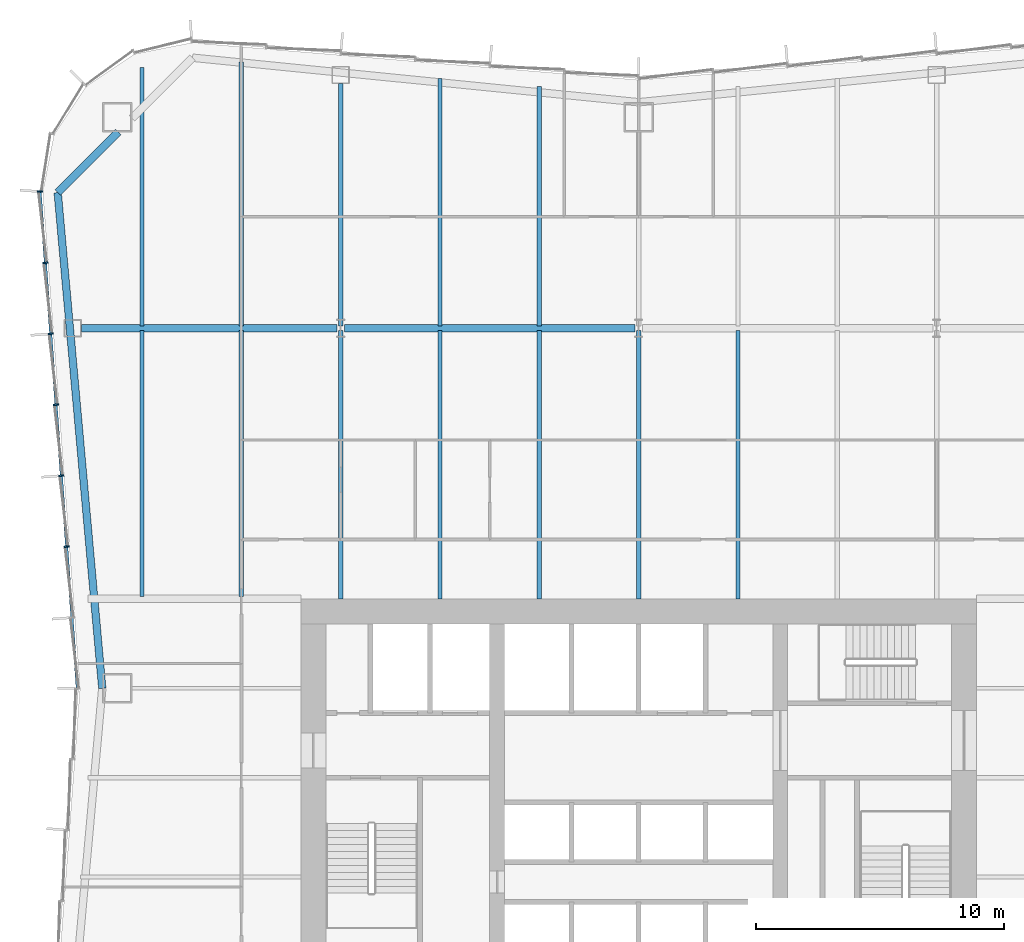
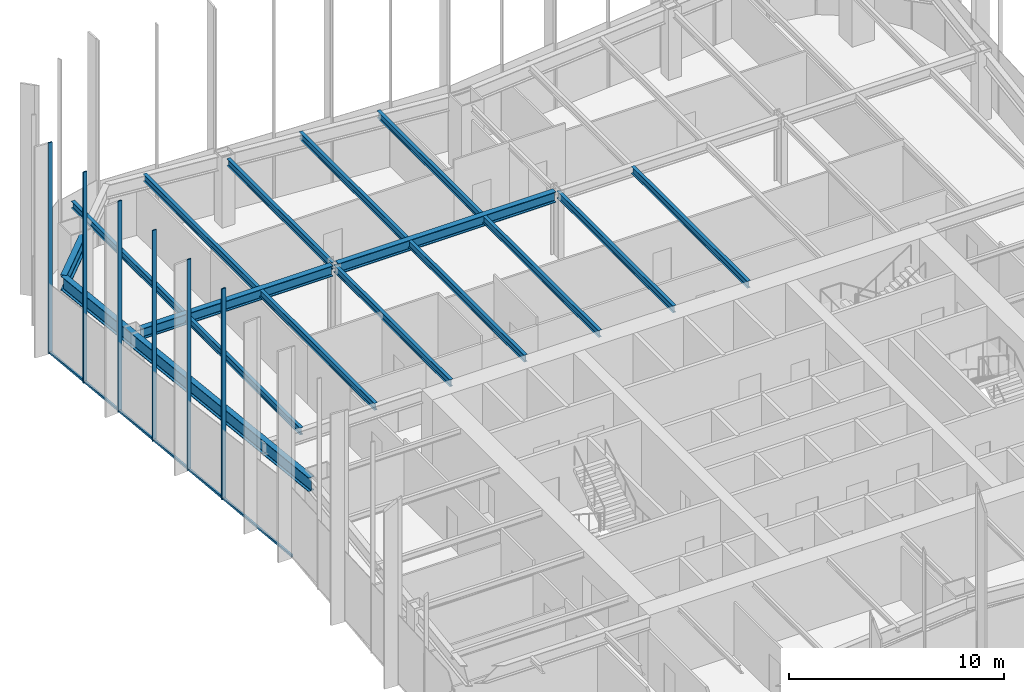
# One storey, part 5 of 13: 16 beams, 7 members, 1 element without a shape of its own.
"""IFC4 building model written with IfcOpenShell, lengths in metres."""

from ifc_helpers import new_model, si_unit, direction, frame, origin, origin_2d, place, context, subcontext, project, spatial, rectangle, i_section, extrude, material, material_profile, profile_set, type_object, element, aggregate, save


model = new_model("IFC4")

# Units and contexts
model_context = context("Model", 3, precision=1e-05, world=origin(), true_north=direction((0.0, 1.0)))
body_context = subcontext(model_context, "Body", "Model", "MODEL_VIEW")
ifc_project = project(units=[si_unit("LENGTHUNIT", "METRE"), si_unit("AREAUNIT", "SQUARE_METRE"), si_unit("VOLUMEUNIT", "CUBIC_METRE"), si_unit("PLANEANGLEUNIT", "RADIAN"), si_unit("MASSUNIT", "GRAM", prefix="KILO")], contexts=[model_context])

# Site, building, storey
site_placement = place(None, origin())
site = spatial("IfcSite", under=ifc_project, at=site_placement, CompositionType="ELEMENT")
building_placement = place(site_placement, origin())
building = spatial("IfcBuilding", under=site, at=building_placement, Name="Verdant Reach Tower", CompositionType="ELEMENT")
storey_placement = place(building_placement, frame((0.0, 0.0, 126.0)))
storey = spatial("IfcBuildingStorey", under=building, at=storey_placement, Name="L28", CompositionType="ELEMENT", Elevation=126.0)

# Curtain wall, members
ifc_material_1 = material(Name="Anodised aluminium", Category="aluminium")
curtain_wall_type = type_object("IfcCurtainWallType", Name="EN-CW SYSTEM Z2", PredefinedType="NOTDEFINED", material=ifc_material_1)
curtain_wall_placement = place(storey_placement, origin())
curtain_wall = element("IfcCurtainWall", 1, at=curtain_wall_placement, inside=storey, type_object=curtain_wall_type, Name="Curtain wall west, L28", PredefinedType="NOTDEFINED")
ifc_material_profile_1 = material_profile(ifc_material_1, rectangle(XDim=0.2119140625, YDim=0.06396484375, at=origin_2d()), Name="Mullion 64x212")
ifc_profile_set_1 = profile_set([ifc_material_profile_1], Name="Anodised aluminium")
member_type_1 = type_object("IfcMemberType", Name="EN-MULLION Z2", PredefinedType="MULLION", material=ifc_profile_set_1)
member_1_placement = place(storey_placement, frame((-24.105712890625, 55.00634765625, -0.35009765625), z_axis=(0.0, 0.0, 1.0), x_axis=(-0.998155887542, 0.060702752526, 0.0)))
member_1 = element("IfcMember", 2, at=member_1_placement, type_object=member_type_1, Name="Mullion west face part 1 1, L28", PredefinedType="MULLION", context=body_context, shape_type="SweptSolid", body=[
    extrude(rectangle(XDim=0.2119140625, YDim=0.06396484375, at=origin_2d()), origin(), (0.0, 0.0, 1.0), 12.0),
])
member_2_placement = place(storey_placement, frame((-23.891357421875, 52.135009765625, -0.35009765625), z_axis=(0.0, 0.0, 1.0), x_axis=(-0.997199309888, -0.074789948245, 0.0)))
member_2 = element("IfcMember", 3, at=member_2_placement, type_object=member_type_1, Name="Mullion west face part 1 2, L28", PredefinedType="MULLION", context=body_context, shape_type="SweptSolid", body=[
    extrude(rectangle(XDim=0.2119140625, YDim=0.06396484375, at=origin_2d()), origin(), (0.0, 0.0, 1.0), 12.0),
])
member_3_placement = place(storey_placement, frame((-23.67724609375, 49.27783203125, -0.35009765625), z_axis=(0.0, 0.0, 1.0), x_axis=(-0.997199309888, -0.074789948245, 0.0)))
member_3 = element("IfcMember", 4, at=member_3_placement, type_object=member_type_1, Name="Mullion west face part 1 3, L28", PredefinedType="MULLION", context=body_context, shape_type="SweptSolid", body=[
    extrude(rectangle(XDim=0.2119140625, YDim=0.06396484375, at=origin_2d()), origin(), (0.0, 0.0, 1.0), 12.0),
])
member_4_placement = place(storey_placement, frame((-23.462890625, 46.420654296875, -0.35009765625), z_axis=(0.0, 0.0, 1.0), x_axis=(-0.997199309888, -0.074789948245, 0.0)))
member_4 = element("IfcMember", 5, at=member_4_placement, type_object=member_type_1, Name="Mullion west face part 1 4, L28", PredefinedType="MULLION", context=body_context, shape_type="SweptSolid", body=[
    extrude(rectangle(XDim=0.2119140625, YDim=0.06396484375, at=origin_2d()), origin(), (0.0, 0.0, 1.0), 12.0),
])
member_5_placement = place(storey_placement, frame((-23.24853515625, 43.5634765625, -0.35009765625), z_axis=(0.0, 0.0, 1.0), x_axis=(-0.997199309888, -0.074789948245, 0.0)))
member_5 = element("IfcMember", 6, at=member_5_placement, type_object=member_type_1, Name="Mullion west face part 1 5, L28", PredefinedType="MULLION", context=body_context, shape_type="SweptSolid", body=[
    extrude(rectangle(XDim=0.2119140625, YDim=0.06396484375, at=origin_2d()), origin(), (0.0, 0.0, 1.0), 12.0),
])
member_6_placement = place(storey_placement, frame((-23.0341796875, 40.706298828125, -0.35009765625), z_axis=(0.0, 0.0, 1.0), x_axis=(-0.997199309888, -0.074789948245, 0.0)))
member_6 = element("IfcMember", 7, at=member_6_placement, type_object=member_type_1, Name="Mullion west face part 1 6, L28", PredefinedType="MULLION", context=body_context, shape_type="SweptSolid", body=[
    extrude(rectangle(XDim=0.2119140625, YDim=0.06396484375, at=origin_2d()), origin(), (0.0, 0.0, 1.0), 12.0),
])
ifc_material_profile_2 = material_profile(ifc_material_1, rectangle(XDim=0.10009765625, YDim=0.1240234375, at=origin_2d()), Name="Transom 124x100")
ifc_profile_set_2 = profile_set([ifc_material_profile_2], Name="Anodised aluminium")
member_type_2 = type_object("IfcMemberType", Name="EN-TRANSOM Z2", PredefinedType="USERDEFINED", material=ifc_profile_set_2)
member_7_placement = place(storey_placement, frame((-24.103515625, 54.974609375, -0.2880859375), z_axis=(0.07476111665, -0.997201471839, 0.0), x_axis=(0.997201471839, 0.07476111665, 0.0)))
member_7 = element("IfcMember", 8, at=member_7_placement, type_object=member_type_2, Name="Transom west face part 1 1.1, L28", ObjectType="TRANSOM", PredefinedType="USERDEFINED", context=body_context, shape_type="SweptSolid", body=[
    extrude(rectangle(XDim=0.10009765625, YDim=0.1240234375, at=origin_2d()), origin(), (0.0, 0.0, 1.0), 19.99853515625),
])
aggregate(curtain_wall, [member_1, member_2, member_3, member_4, member_5, member_6, member_7])

# Beams
ifc_material_2 = material(Name="Steel S355", Category="steel")
ifc_material_profile_3 = material_profile(ifc_material_2, i_section(OverallWidth=0.300048828125, OverallDepth=0.60009765625, WebThickness=0.015380859375, FlangeThickness=0.030029296875, FilletRadius=0.027099609375, at=origin_2d()), Name="HEB 600")
ifc_profile_set_3 = profile_set([ifc_material_profile_3], Name="Steel S355")
beam_type_1 = type_object("IfcBeamType", Name="ST-BEAM-HEB600", PredefinedType="BEAM", material=ifc_profile_set_3)
beam_1_placement = place(storey_placement, frame((-22.4375, 49.5, 3.570068359375), z_axis=(1.0, 0.0, 0.0), x_axis=(0.0, 1.0, 0.0)))
element("IfcBeam", 9, at=beam_1_placement, inside=storey, type_object=beam_type_1, Name="Row girder, L28", PredefinedType="BEAM", context=body_context, shape_type="SweptSolid", body=[
    extrude(i_section(OverallWidth=0.300048828125, OverallDepth=0.60009765625, WebThickness=0.015380859375, FlangeThickness=0.030029296875, FilletRadius=0.027099609375, at=origin_2d()), origin(), (0.0, 0.0, 1.0), 10.283447265625),
])
beam_2_placement = place(storey_placement, frame((-11.845947265625, 49.5, 3.570068359375), z_axis=(1.0, 0.0, 0.0), x_axis=(0.0, 1.0, 0.0)))
element("IfcBeam", 10, at=beam_2_placement, inside=storey, type_object=beam_type_1, Name="Row girder, L28", PredefinedType="BEAM", context=body_context, shape_type="SweptSolid", body=[
    extrude(i_section(OverallWidth=0.300048828125, OverallDepth=0.60009765625, WebThickness=0.015380859375, FlangeThickness=0.030029296875, FilletRadius=0.027099609375, at=origin_2d()), origin(), (0.0, 0.0, 1.0), 11.69189453125),
])
ifc_material_profile_4 = material_profile(ifc_material_2, i_section(OverallWidth=0.179931640625, OverallDepth=0.39990234375, WebThickness=0.008544921875, FlangeThickness=0.013427734375, FilletRadius=0.02099609375, at=origin_2d()), Name="IPE 400")
ifc_profile_set_4 = profile_set([ifc_material_profile_4], Name="Steel S355")
beam_type_2 = type_object("IfcBeamType", Name="ST-JOIST-IPE400", PredefinedType="JOIST", material=ifc_profile_set_4)
beam_3_placement = place(storey_placement, frame((-20.0, 38.699951171875, 3.669921875), z_axis=(0.0, 1.0, 0.0), x_axis=(-1.0, 0.0, 0.0)))
element("IfcBeam", 11, at=beam_3_placement, inside=storey, type_object=beam_type_2, Name="Floor joist, L28", PredefinedType="JOIST", context=body_context, shape_type="SweptSolid", body=[
    extrude(i_section(OverallWidth=0.179931640625, OverallDepth=0.39990234375, WebThickness=0.008544921875, FlangeThickness=0.013427734375, FilletRadius=0.02099609375, at=origin_2d()), origin(), (0.0, 0.0, 1.0), 10.699951171875),
])
beam_4_placement = place(storey_placement, frame((-20.0, 49.60009765625, 3.669921875), z_axis=(0.0, 1.0, 0.0), x_axis=(-1.0, 0.0, 0.0)))
element("IfcBeam", 12, at=beam_4_placement, inside=storey, type_object=beam_type_2, Name="Floor joist, L28", PredefinedType="JOIST", context=body_context, shape_type="SweptSolid", body=[
    extrude(i_section(OverallWidth=0.179931640625, OverallDepth=0.39990234375, WebThickness=0.008544921875, FlangeThickness=0.013427734375, FilletRadius=0.02099609375, at=origin_2d()), origin(), (0.0, 0.0, 1.0), 10.390380859375),
])
beam_5_placement = place(storey_placement, frame((-16.0, 38.699951171875, 3.669921875), z_axis=(0.0, 1.0, 0.0), x_axis=(-1.0, 0.0, 0.0)))
element("IfcBeam", 13, at=beam_5_placement, inside=storey, type_object=beam_type_2, Name="Floor joist, L28", PredefinedType="JOIST", context=body_context, shape_type="SweptSolid", body=[
    extrude(i_section(OverallWidth=0.179931640625, OverallDepth=0.39990234375, WebThickness=0.008544921875, FlangeThickness=0.013427734375, FilletRadius=0.02099609375, at=origin_2d()), origin(), (0.0, 0.0, 1.0), 10.699951171875),
])
beam_6_placement = place(storey_placement, frame((-16.0, 49.60009765625, 3.669921875), z_axis=(0.0, 1.0, 0.0), x_axis=(-1.0, 0.0, 0.0)))
element("IfcBeam", 14, at=beam_6_placement, inside=storey, type_object=beam_type_2, Name="Floor joist, L28", PredefinedType="JOIST", context=body_context, shape_type="SweptSolid", body=[
    extrude(i_section(OverallWidth=0.179931640625, OverallDepth=0.39990234375, WebThickness=0.008544921875, FlangeThickness=0.013427734375, FilletRadius=0.02099609375, at=origin_2d()), origin(), (0.0, 0.0, 1.0), 10.631103515625),
])
beam_7_placement = place(storey_placement, frame((-12.0, 38.60009765625, 3.669921875), z_axis=(0.0, 1.0, 0.0), x_axis=(-1.0, 0.0, 0.0)))
element("IfcBeam", 15, at=beam_7_placement, inside=storey, type_object=beam_type_2, Name="Floor joist, L28", PredefinedType="JOIST", context=body_context, shape_type="SweptSolid", body=[
    extrude(i_section(OverallWidth=0.179931640625, OverallDepth=0.39990234375, WebThickness=0.008544921875, FlangeThickness=0.013427734375, FilletRadius=0.02099609375, at=origin_2d()), origin(), (0.0, 0.0, 1.0), 10.7998046875),
])
beam_8_placement = place(storey_placement, frame((-12.0, 49.60009765625, 3.669921875), z_axis=(0.0, 1.0, 0.0), x_axis=(-1.0, 0.0, 0.0)))
element("IfcBeam", 16, at=beam_8_placement, inside=storey, type_object=beam_type_2, Name="Floor joist, L28", PredefinedType="JOIST", context=body_context, shape_type="SweptSolid", body=[
    extrude(i_section(OverallWidth=0.179931640625, OverallDepth=0.39990234375, WebThickness=0.008544921875, FlangeThickness=0.013427734375, FilletRadius=0.02099609375, at=origin_2d()), origin(), (0.0, 0.0, 1.0), 9.75),
])
beam_9_placement = place(storey_placement, frame((-8.0, 38.60009765625, 3.669921875), z_axis=(0.0, 1.0, 0.0), x_axis=(-1.0, 0.0, 0.0)))
element("IfcBeam", 17, at=beam_9_placement, inside=storey, type_object=beam_type_2, Name="Floor joist, L28", PredefinedType="JOIST", context=body_context, shape_type="SweptSolid", body=[
    extrude(i_section(OverallWidth=0.179931640625, OverallDepth=0.39990234375, WebThickness=0.008544921875, FlangeThickness=0.013427734375, FilletRadius=0.02099609375, at=origin_2d()), origin(), (0.0, 0.0, 1.0), 10.7998046875),
])
beam_10_placement = place(storey_placement, frame((-8.0, 49.60009765625, 3.669921875), z_axis=(0.0, 1.0, 0.0), x_axis=(-1.0, 0.0, 0.0)))
element("IfcBeam", 18, at=beam_10_placement, inside=storey, type_object=beam_type_2, Name="Floor joist, L28", PredefinedType="JOIST", context=body_context, shape_type="SweptSolid", body=[
    extrude(i_section(OverallWidth=0.179931640625, OverallDepth=0.39990234375, WebThickness=0.008544921875, FlangeThickness=0.013427734375, FilletRadius=0.02099609375, at=origin_2d()), origin(), (0.0, 0.0, 1.0), 9.964599609375),
])
beam_11_placement = place(storey_placement, frame((-4.0, 38.60009765625, 3.669921875), z_axis=(0.0, 1.0, 0.0), x_axis=(-1.0, 0.0, 0.0)))
element("IfcBeam", 19, at=beam_11_placement, inside=storey, type_object=beam_type_2, Name="Floor joist, L28", PredefinedType="JOIST", context=body_context, shape_type="SweptSolid", body=[
    extrude(i_section(OverallWidth=0.179931640625, OverallDepth=0.39990234375, WebThickness=0.008544921875, FlangeThickness=0.013427734375, FilletRadius=0.02099609375, at=origin_2d()), origin(), (0.0, 0.0, 1.0), 10.7998046875),
])
beam_12_placement = place(storey_placement, frame((-4.0, 49.60009765625, 3.669921875), z_axis=(0.0, 1.0, 0.0), x_axis=(-1.0, 0.0, 0.0)))
element("IfcBeam", 20, at=beam_12_placement, inside=storey, type_object=beam_type_2, Name="Floor joist, L28", PredefinedType="JOIST", context=body_context, shape_type="SweptSolid", body=[
    extrude(i_section(OverallWidth=0.179931640625, OverallDepth=0.39990234375, WebThickness=0.008544921875, FlangeThickness=0.013427734375, FilletRadius=0.02099609375, at=origin_2d()), origin(), (0.0, 0.0, 1.0), 9.631103515625),
])
for number, where, z_axis, x_axis, name in (
    (21, (0.0, 38.60009765625, 3.669921875), (0.0, 1.0, 0.0), (-1.0, 0.0, 0.0), "Floor joist, L28"),
    (22, (4.0, 38.60009765625, 3.669921875), (0.0, 1.0, 0.0), (-1.0, 0.0, 0.0), "Floor joist, L28"),
):
    element("IfcBeam", number, at=place(storey_placement, frame(where, z_axis=z_axis, x_axis=x_axis)), inside=storey, type_object=beam_type_2, Name=name, PredefinedType="JOIST", context=body_context, shape_type="SweptSolid", body=[
        extrude(i_section(OverallWidth=0.179931640625, OverallDepth=0.39990234375, WebThickness=0.008544921875, FlangeThickness=0.013427734375, FilletRadius=0.02099609375, at=origin_2d()), origin(), (0.0, 0.0, 1.0), 10.7998046875),
    ])
ifc_material_profile_5 = material_profile(ifc_material_2, i_section(OverallWidth=0.300048828125, OverallDepth=0.800048828125, WebThickness=0.017578125, FlangeThickness=0.032958984375, FilletRadius=0.030029296875, at=origin_2d()), Name="HEB 800")
ifc_profile_set_5 = profile_set([ifc_material_profile_5], Name="Steel S355")
beam_type_3 = type_object("IfcBeamType", Name="ST-SPANDREL-HEB800", PredefinedType="SPANDREL", material=ifc_profile_set_5)
beam_13_placement = place(storey_placement, frame((-21.60009765625, 35.0, 3.469970703125), z_axis=(-0.089574749266, 0.995980102358, 0.0), x_axis=(-0.995980102358, -0.089574749266, 0.0)))
element("IfcBeam", 23, at=beam_13_placement, inside=storey, type_object=beam_type_3, Name="Edge beam, L28", PredefinedType="SPANDREL", context=body_context, shape_type="SweptSolid", body=[
    extrude(i_section(OverallWidth=0.300048828125, OverallDepth=0.800048828125, WebThickness=0.017578125, FlangeThickness=0.032958984375, FilletRadius=0.030029296875, at=origin_2d()), origin(), (0.0, 0.0, 1.0), 20.043701171875),
])
ifc_material_profile_6 = material_profile(ifc_material_2, i_section(OverallWidth=0.302001953125, OverallDepth=0.909912109375, WebThickness=0.02099609375, FlangeThickness=0.0400390625, FilletRadius=0.030029296875, at=origin_2d()), Name="HEM 900")
ifc_profile_set_6 = profile_set([ifc_material_profile_6], Name="Steel S355")
beam_type_4 = type_object("IfcBeamType", Name="ST-SPANDREL-HEM900", PredefinedType="SPANDREL", material=ifc_profile_set_6)
beam_14_placement = place(storey_placement, frame((-23.3955078125, 54.963134765625, 3.4150390625), z_axis=(0.706965048022, 0.707248485948, 0.0), x_axis=(-0.707248485948, 0.706965048022, 0.0)))
element("IfcBeam", 24, at=beam_14_placement, inside=storey, type_object=beam_type_4, Name="Edge beam, L28", PredefinedType="SPANDREL", context=body_context, shape_type="SweptSolid", body=[
    extrude(i_section(OverallWidth=0.302001953125, OverallDepth=0.909912109375, WebThickness=0.02099609375, FlangeThickness=0.0400390625, FilletRadius=0.030029296875, at=origin_2d()), origin(), (0.0, 0.0, 1.0), 3.4453125),
])

save(model, "model.ifc")
